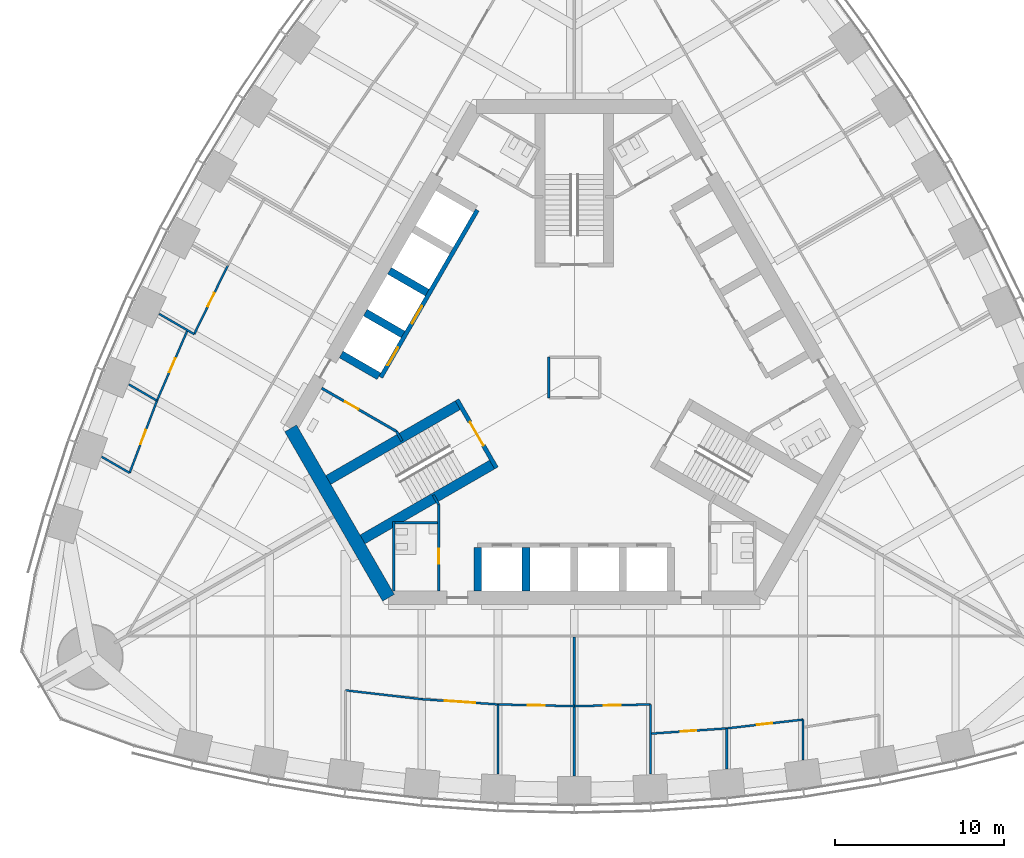
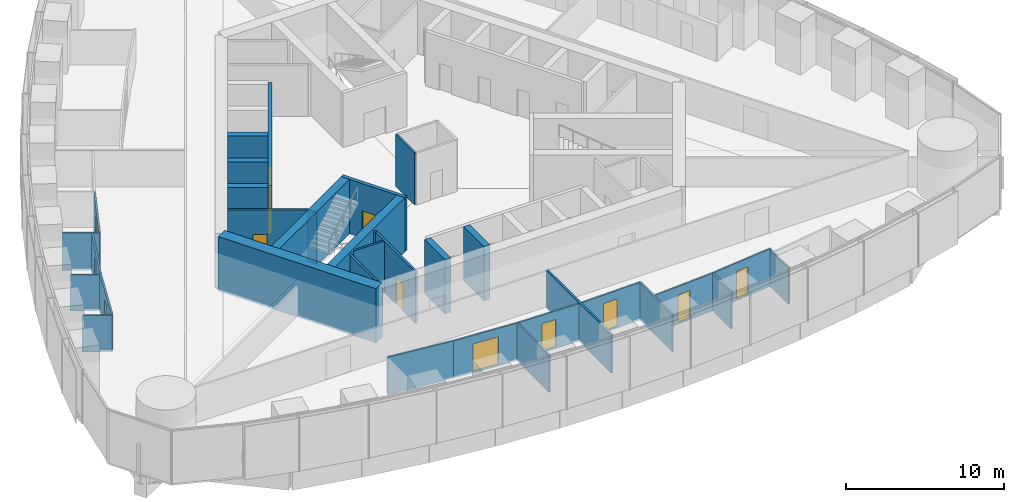
# One storey, part 11 of 19: 34 walls, 13 doors, 13 openings.
"""IFC4 building model written with IfcOpenShell, lengths in metres."""

import ifcopenshell
import ifcopenshell.guid

model = None  # the IFC model being written
_history = None  # IfcOwnerHistory: only IFC2X3 demands one
_inside = {}  # id of a spatial element -> (the spatial element, [elements in it])
_under = {}  # id of a project, library or spatial element -> (it, [spatial elements below it])
_declared = {}  # id of a project -> (the project, [libraries it declares])
_typed = {}  # id of a type object -> (the type object, [elements of that type])
_made_of = {}  # id of a material, layer set ... -> (it, [elements and type objects made of it])


def new_model(schema):
    """Start an empty IFC model of exactly this schema.

    Asked for "IFC4X3", IfcOpenShell would pick the latest addendum, in which some entities
    have other attributes; the version numbers below select the first issue.
    IFC2X3 requires an IfcOwnerHistory on every rooted entity: one is made here for all.
    """
    global model, _history
    if schema == "IFC4X3":
        model = ifcopenshell.file(schema_version=(4, 3, 0, 0))
    else:
        model = ifcopenshell.file(schema=schema)
    _inside.clear()
    _under.clear()
    _declared.clear()
    _typed.clear()
    _made_of.clear()
    _history = None
    if model.schema == "IFC2X3":
        org = make("IfcOrganization", Name="unknown")
        user = make(
            "IfcPersonAndOrganization",
            ThePerson=make("IfcPerson", FamilyName="unknown"),
            TheOrganization=org,
        )
        app = make(
            "IfcApplication",
            ApplicationDeveloper=org,
            Version="unknown",
            ApplicationFullName="unknown",
            ApplicationIdentifier="unknown",
        )
        _history = make(
            "IfcOwnerHistory",
            OwningUser=user,
            OwningApplication=app,
            ChangeAction="ADDED",
            CreationDate=0,
        )
    return model


def make(cls, **values):
    """One entity of the class cls with the attributes given. An attribute that is None is left unset."""
    return model.create_entity(
        cls, **{name: value for name, value in values.items() if value is not None}
    )


def rooted(cls, **values):
    """An entity with a GlobalId (a new one), such as an element, a storey or a relation."""
    return make(cls, GlobalId=ifcopenshell.guid.new(), OwnerHistory=_history, **values)


def si_unit(unit_type, name, prefix=None):
    """IfcSIUnit, for example si_unit("LENGTHUNIT", "METRE", prefix="MILLI")."""
    return make("IfcSIUnit", UnitType=unit_type, Prefix=prefix, Name=name)


def assignment(units):
    """IfcUnitAssignment: the units of a project."""
    return None if units is None else make("IfcUnitAssignment", Units=units)


def point(xyz):
    """IfcCartesianPoint."""
    return None if xyz is None else make("IfcCartesianPoint", Coordinates=xyz)


def direction(xyz):
    """IfcDirection."""
    return None if xyz is None else make("IfcDirection", DirectionRatios=xyz)


def frame(location, z_axis=None, x_axis=None):
    """IfcAxis2Placement3D, a coordinate frame: its origin and axes. An axis left out is left unset."""
    return make(
        "IfcAxis2Placement3D",
        Location=point(location),
        Axis=direction(z_axis),
        RefDirection=direction(x_axis),
    )


def frame_2d(location, x_axis=None):
    """IfcAxis2Placement2D, a coordinate frame in the plane: its origin and x axis."""
    return make(
        "IfcAxis2Placement2D", Location=point(location), RefDirection=direction(x_axis)
    )


def origin():
    """The frame at (0, 0, 0) with its axes left unset."""
    return frame((0.0, 0.0, 0.0))


def place(relative_to, where):
    """IfcLocalPlacement: puts the frame where relative to a parent placement (None: the world)."""
    return make(
        "IfcLocalPlacement", PlacementRelTo=relative_to, RelativePlacement=where
    )


def context(
    kind, dimensions, precision=None, world=None, true_north=None, identifier=None
):
    """IfcGeometricRepresentationContext, for example the 3D "Model" context."""
    return make(
        "IfcGeometricRepresentationContext",
        ContextIdentifier=identifier,
        ContextType=kind,
        CoordinateSpaceDimension=dimensions,
        Precision=precision,
        WorldCoordinateSystem=world,
        TrueNorth=true_north,
    )


def subcontext(parent, identifier, kind, view, scale=None):
    """IfcGeometricRepresentationSubContext, for example "Body" below "Model"."""
    return make(
        "IfcGeometricRepresentationSubContext",
        ContextIdentifier=identifier,
        ContextType=kind,
        ParentContext=parent,
        TargetScale=scale,
        TargetView=view,
    )


def project(units=None, contexts=None):
    """IfcProject with its units and contexts."""
    return rooted(
        "IfcProject",
        Name="project",
        RepresentationContexts=contexts,
        UnitsInContext=assignment(units),
    )


def spatial(cls, under=None, at=None, **own):
    """A site, building, storey or space (cls), placed at a placement, below another one or the project."""
    s = rooted(cls, ObjectPlacement=at, **own)
    if under is not None:
        _under.setdefault(under.id(), (under, []))[1].append(s)
    return s


def profile(cls, at=None, kind="AREA", **sizes):
    """A parametric profile (cls). Its sizes go by their IFC names, for example OverallWidth=200.0."""
    return make(cls, ProfileType=kind, Position=at, **sizes)


def rectangle(**sizes):
    """IfcRectangleProfileDef."""
    return profile("IfcRectangleProfileDef", **sizes)


def extrude(swept, where, along, depth):
    """IfcExtrudedAreaSolid: the profile swept, set in the frame where, extruded along a direction by depth."""
    return make(
        "IfcExtrudedAreaSolid",
        SweptArea=swept,
        Position=where,
        ExtrudedDirection=direction(along),
        Depth=depth,
    )


def shape(context_of_items, identifier, shape_type, items):
    """IfcShapeRepresentation: the items that make up one representation, for example the "Body"."""
    return make(
        "IfcShapeRepresentation",
        ContextOfItems=context_of_items,
        RepresentationIdentifier=identifier,
        RepresentationType=shape_type,
        Items=items,
    )


def material(Name=None, Category=None):
    """IfcMaterial."""
    return make("IfcMaterial", Name=Name, Category=Category)


def layer(
    of_material, thickness, ventilated=None, Name=None, Category=None, Priority=None
):
    """IfcMaterialLayer: one layer of a wall or slab, of a material (None: an air gap)."""
    return make(
        "IfcMaterialLayer",
        Material=of_material,
        LayerThickness=thickness,
        IsVentilated=ventilated,
        Name=Name,
        Category=Category,
        Priority=Priority,
    )


def layer_set(layers, Name=None):
    """IfcMaterialLayerSet."""
    return make("IfcMaterialLayerSet", MaterialLayers=layers, LayerSetName=Name)


def made_of(thing, what):
    """Note that an element or type object is made of a material, layer set ...; save() writes the relation."""
    if what is not None:
        _made_of.setdefault(what.id(), (what, []))[1].append(thing)
    return thing


def type_object(cls, material=None, **own):
    """A type object (cls), such as IfcWallType, which elements share."""
    return made_of(rooted(cls, **own), material)


def element(
    cls,
    number,
    at=None,
    inside=None,
    cuts=None,
    type_object=None,
    material=None,
    context=None,
    identifier="Body",
    shape_type=None,
    held_by="IfcProductDefinitionShape",
    body=None,
    shapes=None,
    **own,
):
    """One element of the class cls, such as IfcWall. Its Tag is "e" and its number.

    at: its placement. inside: the storey or other place that contains it. cuts: it is an
    opening in that element (IfcRelVoidsElement). A single representation is given by context,
    identifier, shape_type and body (its items); several are given by shapes. held_by: the class
    of the entity that holds the representations. save() writes the other relations.
    """
    e = rooted(cls, Tag="e%d" % number, ObjectPlacement=at, **own)
    if body is not None:
        shapes = [shape(context, identifier, shape_type, body)]
    if shapes is not None:
        e.Representation = make(held_by, Representations=shapes)
    if inside is not None:
        _inside.setdefault(inside.id(), (inside, []))[1].append(e)
    if cuts is not None:
        rooted(
            "IfcRelVoidsElement", RelatingBuildingElement=cuts, RelatedOpeningElement=e
        )
    if type_object is not None:
        _typed.setdefault(type_object.id(), (type_object, []))[1].append(e)
    return made_of(e, material)


def fill(opening, filler):
    """IfcRelFillsElement: the door or window that sits in an opening."""
    return rooted(
        "IfcRelFillsElement",
        RelatingOpeningElement=opening,
        RelatedBuildingElement=filler,
    )


def aggregate(whole, parts):
    """IfcRelAggregates: a whole, such as a stair, and the parts it consists of."""
    return rooted("IfcRelAggregates", RelatingObject=whole, RelatedObjects=parts)


def save(model, path):
    """Write the relations noted so far, then the file.

    IfcRelAggregates (storeys below a building ...), IfcRelContainedInSpatialStructure (elements
    in a storey), IfcRelDefinesByType, IfcRelAssociatesMaterial and IfcRelDeclares: one each for
    every whole, place, type object, material and project.
    """
    for whole, parts in _under.values():
        aggregate(whole, parts)
    for where, things in _inside.values():
        rooted(
            "IfcRelContainedInSpatialStructure",
            RelatedElements=things,
            RelatingStructure=where,
        )
    for kind, things in _typed.values():
        rooted("IfcRelDefinesByType", RelatedObjects=things, RelatingType=kind)
    for what, things in _made_of.values():
        rooted("IfcRelAssociatesMaterial", RelatedObjects=things, RelatingMaterial=what)
    for by, libraries in _declared.values():
        rooted("IfcRelDeclares", RelatingContext=by, RelatedDefinitions=libraries)
    model.write(path)


model = new_model("IFC4")

# Units and contexts
model_context = context("Model", 3, precision=1e-05, world=origin(), true_north=direction((0.0, 1.0)))
body_context = subcontext(model_context, "Body", "Model", "MODEL_VIEW")
ifc_project = project(units=[si_unit("LENGTHUNIT", "METRE"), si_unit("AREAUNIT", "SQUARE_METRE"), si_unit("VOLUMEUNIT", "CUBIC_METRE"), si_unit("PLANEANGLEUNIT", "RADIAN"), si_unit("MASSUNIT", "GRAM", prefix="KILO")], contexts=[model_context])

# Site, building, storey
site_placement = place(None, origin())
site = spatial("IfcSite", under=ifc_project, at=site_placement, CompositionType="ELEMENT")
building_placement = place(site_placement, origin())
building = spatial("IfcBuilding", under=site, at=building_placement, Name="Trefoil Bronze Tower", CompositionType="ELEMENT")
storey_placement = place(building_placement, frame((0.0, 0.0, 193.89990234375)))
storey = spatial("IfcBuildingStorey", under=building, at=storey_placement, Name="L44", CompositionType="ELEMENT", Elevation=193.89990234375)

# Wall
ifc_material_1 = material(Name="Concrete B80", Category="concrete")
ifc_layer_1 = layer(ifc_material_1, 0.800048828125)
ifc_layer_set_1 = layer_set([ifc_layer_1], Name="Core wall 800")
wall_type_1 = type_object("IfcWallType", Name="Core wall 800", PredefinedType="SHEAR", material=ifc_layer_set_1)
wall_1_placement = place(storey_placement, frame((-16.7431640625, -3.0, 0.0), z_axis=(0.0, 0.0, 1.0), x_axis=(0.499995765644, -0.866027848477, 0.0)))
element("IfcWall", 1, at=wall_1_placement, inside=storey, type_object=wall_type_1, Name="Core short wall 3 L44", PredefinedType="SHEAR", context=body_context, shape_type="SweptSolid", body=[
    extrude(rectangle(XDim=11.546875, YDim=0.800048828125, at=frame_2d((5.7734375, 0.0))), origin(), (0.0, 0.0, 1.0), 4.2001953125),
])

# Wall, opening, door
ifc_material_2 = material(Name="Glazed partition", Category="glass")
ifc_layer_2 = layer(ifc_material_2, 0.1201171875)
ifc_layer_set_2 = layer_set([ifc_layer_2], Name="Glazed partition 120")
wall_type_2 = type_object("IfcWallType", Name="Glazed partition 120", PredefinedType="PARTITIONING", material=ifc_layer_set_2)
wall_2_placement = place(storey_placement, frame((0.0, -19.400634765625, 0.0), z_axis=(0.0, 0.0, 1.0), x_axis=(0.99973552509, 0.022997388381, 0.0)))
wall_2 = element("IfcWall", 2, at=wall_2_placement, inside=storey, type_object=wall_type_2, Name="Partition F1 L44", PredefinedType="PARTITIONING", context=body_context, shape_type="SweptSolid", body=[
    extrude(rectangle(XDim=4.501220703125, YDim=0.1201171875, at=frame_2d((2.25048828125, 0.0))), origin(), (0.0, 0.0, 1.0), 2.900146484375),
])
opening_1_placement = place(wall_2_placement, frame((1.75, 0.0, 0.14990234375)))
opening_1 = element("IfcOpeningElement", 3, at=opening_1_placement, cuts=wall_2, Name="Opening D9", PredefinedType="OPENING", context=body_context, shape_type="SweptSolid", body=[
    extrude(rectangle(XDim=1.0, YDim=2.10009765625, at=frame_2d((0.5, 1.050048828125))), frame((0.0, 0.070068359375, 0.0), z_axis=(0.0, -1.0, 0.0), x_axis=(1.0, 0.0, 0.0)), (0.0, 0.0, 1.0), 0.14013671875),
])
ifc_material_3 = material(Name="Glazed timber door", Category="wood")
door_type_1 = type_object("IfcDoorType", Name="Meeting room door 1000", OperationType="SINGLE_SWING_LEFT", PredefinedType="DOOR", material=ifc_material_3)
door_1_placement = place(opening_1_placement, frame((1.0, 0.0, 0.0), z_axis=(0.0, 0.0, 1.0), x_axis=(-1.0, 0.0, 0.0)))
door_1 = element("IfcDoor", 4, at=door_1_placement, inside=storey, type_object=door_type_1, Name="Meeting room door F1 L44", OperationType="SINGLE_SWING_RIGHT", OverallHeight=2.10009765625, OverallWidth=1.0, PredefinedType="DOOR", context=body_context, shape_type="SweptSolid", body=[
    extrude(rectangle(XDim=1.0, YDim=2.10009765625, at=frame_2d((0.5, 1.050048828125))), frame((0.0, 0.02490234375, 0.0), z_axis=(0.0, -1.0, 0.0), x_axis=(1.0, 0.0, 0.0)), (0.0, 0.0, 1.0), 0.050048828125),
])
fill(opening_1, door_1)

wall_3_placement = place(storey_placement, frame((4.5, -21.022216796875, 0.0), z_axis=(0.0, 0.0, 1.0), x_axis=(0.997623533978, 0.068900540297, 0.0)))
wall_3 = element("IfcWall", 5, at=wall_3_placement, inside=storey, type_object=wall_type_2, Name="Partition F1 L44", PredefinedType="PARTITIONING", context=body_context, shape_type="SweptSolid", body=[
    extrude(rectangle(XDim=4.5107421875, YDim=0.1201171875, at=frame_2d((2.25537109375, 0.0))), origin(), (0.0, 0.0, 1.0), 2.900146484375),
])
opening_2_placement = place(wall_3_placement, frame((1.800048828125, 0.0, 0.14990234375)))
opening_2 = element("IfcOpeningElement", 6, at=opening_2_placement, cuts=wall_3, Name="Opening D8", PredefinedType="OPENING", context=body_context, shape_type="SweptSolid", body=[
    extrude(rectangle(XDim=0.89990234375, YDim=2.10009765625, at=frame_2d((0.449951171875, 1.050048828125))), frame((0.0, 0.070068359375, 0.0), z_axis=(0.0, -1.0, 0.0), x_axis=(1.0, 0.0, 0.0)), (0.0, 0.0, 1.0), 0.14013671875),
])
ifc_material_4 = material(Name="Timber door", Category="wood")
door_type_2 = type_object("IfcDoorType", Name="Office door 900", OperationType="SINGLE_SWING_LEFT", PredefinedType="DOOR", material=ifc_material_4)
door_2_placement = place(opening_2_placement, frame((0.89990234375, 0.0, 0.0), z_axis=(0.0, 0.0, 1.0), x_axis=(-1.0, 0.0, 0.0)))
door_2 = element("IfcDoor", 7, at=door_2_placement, inside=storey, type_object=door_type_2, Name="Focus room door F1 L44", OperationType="SINGLE_SWING_RIGHT", OverallHeight=2.10009765625, OverallWidth=0.89990234375, PredefinedType="DOOR", context=body_context, shape_type="SweptSolid", body=[
    extrude(rectangle(XDim=0.89990234375, YDim=2.10009765625, at=frame_2d((0.449951171875, 1.050048828125))), frame((0.0, 0.02490234375, 0.0), z_axis=(0.0, -1.0, 0.0), x_axis=(1.0, 0.0, 0.0)), (0.0, 0.0, 1.0), 0.050048828125),
])
fill(opening_2, door_2)

wall_4_placement = place(storey_placement, frame((9.0, -20.71142578125, 0.0), z_axis=(0.0, 0.0, 1.0), x_axis=(0.993382946625, 0.114849124309, 0.0)))
wall_4 = element("IfcWall", 8, at=wall_4_placement, inside=storey, type_object=wall_type_2, Name="Partition F1 L44", PredefinedType="PARTITIONING", context=body_context, shape_type="SweptSolid", body=[
    extrude(rectangle(XDim=4.530029296875, YDim=0.1201171875, at=frame_2d((2.26513671875, 0.0))), origin(), (0.0, 0.0, 1.0), 2.900146484375),
])
opening_3_placement = place(wall_4_placement, frame((1.800048828125, 0.0, 0.14990234375)))
opening_3 = element("IfcOpeningElement", 9, at=opening_3_placement, cuts=wall_4, Name="Opening D8", PredefinedType="OPENING", context=body_context, shape_type="SweptSolid", body=[
    extrude(rectangle(XDim=0.89990234375, YDim=2.10009765625, at=frame_2d((0.449951171875, 1.050048828125))), frame((0.0, 0.070068359375, 0.0), z_axis=(0.0, -1.0, 0.0), x_axis=(1.0, 0.0, 0.0)), (0.0, 0.0, 1.0), 0.14013671875),
])
door_3_placement = place(opening_3_placement, frame((0.89990234375, 0.0, 0.0), z_axis=(0.0, 0.0, 1.0), x_axis=(-1.0, 0.0, 0.0)))
door_3 = element("IfcDoor", 10, at=door_3_placement, inside=storey, type_object=door_type_2, Name="Focus room door F1 L44", OperationType="SINGLE_SWING_RIGHT", OverallHeight=2.10009765625, OverallWidth=0.89990234375, PredefinedType="DOOR", context=body_context, shape_type="SweptSolid", body=[
    extrude(rectangle(XDim=0.89990234375, YDim=2.10009765625, at=frame_2d((0.449951171875, 1.050048828125))), frame((0.0, 0.02490234375, 0.0), z_axis=(0.0, -1.0, 0.0), x_axis=(1.0, 0.0, 0.0)), (0.0, 0.0, 1.0), 0.050048828125),
])
fill(opening_3, door_3)

# Wall
wall_5_placement = place(storey_placement, frame((-13.5, -18.466064453125, 0.0), z_axis=(0.0, 0.0, 1.0), x_axis=(0.993382946625, -0.114849124309, 0.0)))
element("IfcWall", 11, at=wall_5_placement, inside=storey, type_object=wall_type_2, Name="Partition F1 L44", PredefinedType="PARTITIONING", context=body_context, shape_type="SweptSolid", body=[
    extrude(rectangle(XDim=4.530029296875, YDim=0.1201171875, at=frame_2d((2.26513671875, 0.0))), origin(), (0.0, 0.0, 1.0), 2.900146484375),
])

# Wall, opening, door
wall_6_placement = place(storey_placement, frame((-4.5, -19.297119140625, 0.0), z_axis=(0.0, 0.0, 1.0), x_axis=(0.99973552509, -0.022997388381, 0.0)))
wall_6 = element("IfcWall", 12, at=wall_6_placement, inside=storey, type_object=wall_type_2, Name="Partition F1 L44", PredefinedType="PARTITIONING", context=body_context, shape_type="SweptSolid", body=[
    extrude(rectangle(XDim=4.501220703125, YDim=0.1201171875, at=frame_2d((2.25048828125, 0.0))), origin(), (0.0, 0.0, 1.0), 2.900146484375),
])
opening_4_placement = place(wall_6_placement, frame((1.75, 0.0, 0.14990234375)))
opening_4 = element("IfcOpeningElement", 13, at=opening_4_placement, cuts=wall_6, Name="Opening D9", PredefinedType="OPENING", context=body_context, shape_type="SweptSolid", body=[
    extrude(rectangle(XDim=1.0, YDim=2.10009765625, at=frame_2d((0.5, 1.050048828125))), frame((0.0, 0.070068359375, 0.0), z_axis=(0.0, -1.0, 0.0), x_axis=(1.0, 0.0, 0.0)), (0.0, 0.0, 1.0), 0.14013671875),
])
door_4_placement = place(opening_4_placement, frame((1.0, 0.0, 0.0), z_axis=(0.0, 0.0, 1.0), x_axis=(-1.0, 0.0, 0.0)))
door_4 = element("IfcDoor", 14, at=door_4_placement, inside=storey, type_object=door_type_1, Name="Meeting room door F1 L44", OperationType="SINGLE_SWING_RIGHT", OverallHeight=2.10009765625, OverallWidth=1.0, PredefinedType="DOOR", context=body_context, shape_type="SweptSolid", body=[
    extrude(rectangle(XDim=1.0, YDim=2.10009765625, at=frame_2d((0.5, 1.050048828125))), frame((0.0, 0.02490234375, 0.0), z_axis=(0.0, -1.0, 0.0), x_axis=(1.0, 0.0, 0.0)), (0.0, 0.0, 1.0), 0.050048828125),
])
fill(opening_4, door_4)

wall_7_placement = place(storey_placement, frame((-9.0, -18.986328125, 0.0), z_axis=(0.0, 0.0, 1.0), x_axis=(0.997623533978, -0.068900540297, 0.0)))
wall_7 = element("IfcWall", 15, at=wall_7_placement, inside=storey, type_object=wall_type_2, Name="Partition F1 L44", PredefinedType="PARTITIONING", context=body_context, shape_type="SweptSolid", body=[
    extrude(rectangle(XDim=4.5107421875, YDim=0.1201171875, at=frame_2d((2.25537109375, 0.0))), origin(), (0.0, 0.0, 1.0), 2.900146484375),
])
opening_5_placement = place(wall_7_placement, frame((1.35009765625, 0.0, 0.14990234375)))
opening_5 = element("IfcOpeningElement", 16, at=opening_5_placement, cuts=wall_7, Name="Opening D10", PredefinedType="OPENING", context=body_context, shape_type="SweptSolid", body=[
    extrude(rectangle(XDim=1.800048828125, YDim=2.10009765625, at=frame_2d((0.89990234375, 1.050048828125))), frame((0.0, 0.070068359375, 0.0), z_axis=(0.0, -1.0, 0.0), x_axis=(1.0, 0.0, 0.0)), (0.0, 0.0, 1.0), 0.14013671875),
])
ifc_material_5 = material(Name="Timber door", Category="wood")
door_type_3 = type_object("IfcDoorType", Name="Double door 1800", OperationType="DOUBLE_DOOR_SINGLE_SWING", PredefinedType="DOOR", material=ifc_material_5)
door_5_placement = place(opening_5_placement, frame((1.800048828125, 0.0, 0.0), z_axis=(0.0, 0.0, 1.0), x_axis=(-1.0, 0.0, 0.0)))
door_5 = element("IfcDoor", 17, at=door_5_placement, inside=storey, type_object=door_type_3, Name="Kitchen and breakout door F1 L44", OperationType="DOUBLE_DOOR_SINGLE_SWING", OverallHeight=2.10009765625, OverallWidth=1.800048828125, PredefinedType="DOOR", context=body_context, shape_type="SweptSolid", body=[
    extrude(rectangle(XDim=1.800048828125, YDim=2.10009765625, at=frame_2d((0.89990234375, 1.050048828125))), frame((0.0, 0.02490234375, 0.0), z_axis=(0.0, -1.0, 0.0), x_axis=(1.0, 0.0, 0.0)), (0.0, 0.0, 1.0), 0.050048828125),
])
fill(opening_5, door_5)

# Walls
wall_8_placement = place(storey_placement, frame((13.5, -20.191162109375, 0.0), z_axis=(0.0, 0.0, 1.0), x_axis=(0.0, -1.0, 0.0)))
element("IfcWall", 18, at=wall_8_placement, inside=storey, type_object=wall_type_2, Name="Partition F1 L44", PredefinedType="PARTITIONING", context=body_context, shape_type="SweptSolid", body=[
    extrude(rectangle(XDim=2.37939453125, YDim=0.1201171875, at=frame_2d((1.189697265625, 0.0))), origin(), (0.0, 0.0, 1.0), 2.800048828125),
])
wall_9_placement = place(storey_placement, frame((4.5, -19.297119140625, 0.0), z_axis=(0.0, 0.0, 1.0), x_axis=(0.0, -1.0, 0.0)))
element("IfcWall", 19, at=wall_9_placement, inside=storey, type_object=wall_type_2, Name="Partition F1 L44", PredefinedType="PARTITIONING", context=body_context, shape_type="SweptSolid", body=[
    extrude(rectangle(XDim=4.118408203125, YDim=0.1201171875, at=frame_2d((2.05908203125, 0.0))), origin(), (0.0, 0.0, 1.0), 2.900146484375),
])
wall_10_placement = place(storey_placement, frame((9.0, -20.71142578125, 0.0), z_axis=(0.0, 0.0, 1.0), x_axis=(0.0, -1.0, 0.0)))
element("IfcWall", 20, at=wall_10_placement, inside=storey, type_object=wall_type_2, Name="Partition F1 L44", PredefinedType="PARTITIONING", context=body_context, shape_type="SweptSolid", body=[
    extrude(rectangle(XDim=2.38818359375, YDim=0.1201171875, at=frame_2d((1.194091796875, 0.0))), origin(), (0.0, 0.0, 1.0), 2.900146484375),
])
wall_11_placement = place(storey_placement, frame((-4.5, -19.297119140625, 0.0), z_axis=(0.0, 0.0, 1.0), x_axis=(0.0, -1.0, 0.0)))
element("IfcWall", 21, at=wall_11_placement, inside=storey, type_object=wall_type_2, Name="Partition F1 L44", PredefinedType="PARTITIONING", context=body_context, shape_type="SweptSolid", body=[
    extrude(rectangle(XDim=4.118408203125, YDim=0.1201171875, at=frame_2d((2.05908203125, 0.0))), origin(), (0.0, 0.0, 1.0), 2.900146484375),
])

# Wall, opening, door
wall_12_placement = place(storey_placement, frame((-24.63427734375, -1.36572265625, 0.0), z_axis=(0.0, 0.0, 1.0), x_axis=(-0.3542667952, -0.935144394101, 0.0)))
wall_12 = element("IfcWall", 22, at=wall_12_placement, inside=storey, type_object=wall_type_2, Name="Partition F3 L44", PredefinedType="PARTITIONING", context=body_context, shape_type="SweptSolid", body=[
    extrude(rectangle(XDim=4.559326171875, YDim=0.1201171875, at=frame_2d((2.27978515625, 0.0))), origin(), (0.0, 0.0, 1.0), 2.900146484375),
])
opening_6_placement = place(wall_12_placement, frame((1.85009765625, 0.0, 0.14990234375)))
opening_6 = element("IfcOpeningElement", 23, at=opening_6_placement, cuts=wall_12, Name="Opening D8", PredefinedType="OPENING", context=body_context, shape_type="SweptSolid", body=[
    extrude(rectangle(XDim=0.89990234375, YDim=2.10009765625, at=frame_2d((0.449951171875, 1.050048828125))), frame((0.0, 0.070068359375, 0.0), z_axis=(0.0, -1.0, 0.0), x_axis=(1.0, 0.0, 0.0)), (0.0, 0.0, 1.0), 0.14013671875),
])
door_6_placement = place(opening_6_placement, frame((0.89990234375, 0.0, 0.0), z_axis=(0.0, 0.0, 1.0), x_axis=(-1.0, 0.0, 0.0)))
door_6 = element("IfcDoor", 24, at=door_6_placement, inside=storey, type_object=door_type_2, Name="Comms room door F3 L44", OperationType="SINGLE_SWING_LEFT", OverallHeight=2.10009765625, OverallWidth=0.89990234375, PredefinedType="DOOR", context=body_context, shape_type="SweptSolid", body=[
    extrude(rectangle(XDim=0.89990234375, YDim=2.10009765625, at=frame_2d((0.449951171875, 1.050048828125))), frame((0.0, 0.02490234375, 0.0), z_axis=(0.0, -1.0, 0.0), x_axis=(1.0, 0.0, 0.0)), (0.0, 0.0, 1.0), 0.050048828125),
])
fill(opening_6, door_6)

wall_13_placement = place(storey_placement, frame((-20.455810546875, 6.614013671875, 0.0), z_axis=(0.0, 0.0, 1.0), x_axis=(-0.43911984878, -0.898428493764, 0.0)))
wall_13 = element("IfcWall", 25, at=wall_13_placement, inside=storey, type_object=wall_type_2, Name="Partition F3 L44", PredefinedType="PARTITIONING", context=body_context, shape_type="SweptSolid", body=[
    extrude(rectangle(XDim=4.5107421875, YDim=0.1201171875, at=frame_2d((2.25537109375, 0.0))), origin(), (0.0, 0.0, 1.0), 2.900146484375),
])
opening_7_placement = place(wall_13_placement, frame((1.800048828125, 0.0, 0.14990234375)))
opening_7 = element("IfcOpeningElement", 26, at=opening_7_placement, cuts=wall_13, Name="Opening D8", PredefinedType="OPENING", context=body_context, shape_type="SweptSolid", body=[
    extrude(rectangle(XDim=0.89990234375, YDim=2.10009765625, at=frame_2d((0.449951171875, 1.050048828125))), frame((0.0, 0.070068359375, 0.0), z_axis=(0.0, -1.0, 0.0), x_axis=(1.0, 0.0, 0.0)), (0.0, 0.0, 1.0), 0.14013671875),
])
door_7_placement = place(opening_7_placement, frame((0.89990234375, 0.0, 0.0), z_axis=(0.0, 0.0, 1.0), x_axis=(-1.0, 0.0, 0.0)))
door_7 = element("IfcDoor", 27, at=door_7_placement, inside=storey, type_object=door_type_2, Name="Focus room door F3 L44", OperationType="SINGLE_SWING_RIGHT", OverallHeight=2.10009765625, OverallWidth=0.89990234375, PredefinedType="DOOR", context=body_context, shape_type="SweptSolid", body=[
    extrude(rectangle(XDim=0.89990234375, YDim=2.10009765625, at=frame_2d((0.449951171875, 1.050048828125))), frame((0.0, 0.02490234375, 0.0), z_axis=(0.0, -1.0, 0.0), x_axis=(1.0, 0.0, 0.0)), (0.0, 0.0, 1.0), 0.050048828125),
])
fill(opening_7, door_7)

wall_14_placement = place(storey_placement, frame((-22.8349609375, 2.79150390625, 0.0), z_axis=(0.0, 0.0, 1.0), x_axis=(-0.397208101111, -0.917728567939, 0.0)))
wall_14 = element("IfcWall", 28, at=wall_14_placement, inside=storey, type_object=wall_type_2, Name="Partition F3 L44", PredefinedType="PARTITIONING", context=body_context, shape_type="SweptSolid", body=[
    extrude(rectangle(XDim=4.530029296875, YDim=0.1201171875, at=frame_2d((2.26513671875, 0.0))), origin(), (0.0, 0.0, 1.0), 2.900146484375),
])
opening_8_placement = place(wall_14_placement, frame((1.800048828125, 0.0, 0.14990234375)))
opening_8 = element("IfcOpeningElement", 29, at=opening_8_placement, cuts=wall_14, Name="Opening D8", PredefinedType="OPENING", context=body_context, shape_type="SweptSolid", body=[
    extrude(rectangle(XDim=0.89990234375, YDim=2.10009765625, at=frame_2d((0.449951171875, 1.050048828125))), frame((0.0, 0.070068359375, 0.0), z_axis=(0.0, -1.0, 0.0), x_axis=(1.0, 0.0, 0.0)), (0.0, 0.0, 1.0), 0.14013671875),
])
door_8_placement = place(opening_8_placement, frame((0.89990234375, 0.0, 0.0), z_axis=(0.0, 0.0, 1.0), x_axis=(-1.0, 0.0, 0.0)))
door_8 = element("IfcDoor", 30, at=door_8_placement, inside=storey, type_object=door_type_2, Name="Print and store room door F3 L44", OperationType="SINGLE_SWING_RIGHT", OverallHeight=2.10009765625, OverallWidth=0.89990234375, PredefinedType="DOOR", context=body_context, shape_type="SweptSolid", body=[
    extrude(rectangle(XDim=0.89990234375, YDim=2.10009765625, at=frame_2d((0.449951171875, 1.050048828125))), frame((0.0, 0.02490234375, 0.0), z_axis=(0.0, -1.0, 0.0), x_axis=(1.0, 0.0, 0.0)), (0.0, 0.0, 1.0), 0.050048828125),
])
fill(opening_8, door_8)

# Walls
wall_15_placement = place(storey_placement, frame((-24.63427734375, -1.36572265625, 0.0), z_axis=(0.0, 0.0, 1.0), x_axis=(-0.86603520599, 0.499983021698, 0.0)))
element("IfcWall", 31, at=wall_15_placement, inside=storey, type_object=wall_type_2, Name="Partition F3 L44", PredefinedType="PARTITIONING", context=body_context, shape_type="SweptSolid", body=[
    extrude(rectangle(XDim=1.91943359375, YDim=0.1201171875, at=frame_2d((0.959716796875, 0.0))), origin(), (0.0, 0.0, 1.0), 2.800048828125),
])
wall_16_placement = place(storey_placement, frame((-26.24951171875, -5.62939453125, 0.0), z_axis=(0.0, 0.0, 1.0), x_axis=(-0.866036337748, 0.499981061341, 0.0)))
element("IfcWall", 32, at=wall_16_placement, inside=storey, type_object=wall_type_2, Name="Partition F3 L44", PredefinedType="PARTITIONING", context=body_context, shape_type="SweptSolid", body=[
    extrude(rectangle(XDim=1.90673828125, YDim=0.1201171875, at=frame_2d((0.953369140625, 0.0))), origin(), (0.0, 0.0, 1.0), 2.800048828125),
])
wall_17_placement = place(storey_placement, frame((-22.4365234375, 2.5615234375, 0.0), z_axis=(0.0, 0.0, 1.0), x_axis=(-0.866013634004, 0.500020385304, 0.0)))
element("IfcWall", 33, at=wall_17_placement, inside=storey, type_object=wall_type_2, Name="Partition F3 L44", PredefinedType="PARTITIONING", context=body_context, shape_type="SweptSolid", body=[
    extrude(rectangle(XDim=2.38818359375, YDim=0.1201171875, at=frame_2d((1.194091796875, 0.0))), origin(), (0.0, 0.0, 1.0), 2.900146484375),
])
ifc_material_6 = material(Name="Concrete B80", Category="concrete")
ifc_layer_3 = layer(ifc_material_6, 0.449951171875)
ifc_layer_set_3 = layer_set([ifc_layer_3], Name="Outrigger shaft wall 450")
wall_type_3 = type_object("IfcWallType", Name="Outrigger shaft wall 450", PredefinedType="SHEAR", material=ifc_layer_set_3)
for number, where, z_axis, x_axis, name in (
    (34, (-5.699951171875, -10.02490234375, 0.0), (0.0, 0.0, 1.0), (0.0, -1.0, 0.0), "Lift shaft side wall A0 L44"),
    (35, (-2.85009765625, -10.02490234375, 0.0), (0.0, 0.0, 1.0), (0.0, -1.0, 0.0), "Lift shaft side wall A1 L44"),
):
    element("IfcWall", number, at=place(storey_placement, frame(where, z_axis=z_axis, x_axis=x_axis)), inside=storey, type_object=wall_type_3, Name=name, PredefinedType="SHEAR", context=body_context, shape_type="SweptSolid", body=[
        extrude(rectangle(XDim=2.5751953125, YDim=0.449951171875, at=frame_2d((1.28759765625, 0.0))), origin(), (0.0, 0.0, 1.0), 4.2001953125),
    ])
for number, where, z_axis, x_axis, name in (
    (36, (-8.681884765625, 5.012451171875, 0.0), (0.0, 0.0, 1.0), (-0.866005588531, 0.500034319456, 0.0), "Lift shaft side wall C2 L44"),
    (37, (-10.10693359375, 2.54443359375, 0.0), (0.0, 0.0, 1.0), (-0.866046643894, 0.499963209246, 0.0), "Lift shaft side wall C3 L44"),
    (38, (-11.531982421875, 0.076171875, 0.0), (0.0, 0.0, 1.0), (-0.866005588531, 0.500034319456, 0.0), "Lift shaft side wall C4 L44"),
):
    element("IfcWall", number, at=place(storey_placement, frame(where, z_axis=z_axis, x_axis=x_axis)), inside=storey, type_object=wall_type_3, Name=name, PredefinedType="SHEAR", context=body_context, shape_type="SweptSolid", body=[
        extrude(rectangle(XDim=2.574951171875, YDim=0.449951171875, at=frame_2d((1.28759765625, 0.0))), origin(), (0.0, 0.0, 1.0), 4.2001953125),
    ])

# Wall, opening, door
ifc_material_7 = material(Name="Gypsum board on steel studs", Category="steel")
ifc_layer_4 = layer(ifc_material_7, 0.14990234375)
ifc_layer_set_4 = layer_set([ifc_layer_4], Name="Partition 150")
wall_type_4 = type_object("IfcWallType", Name="Partition 150", PredefinedType="PARTITIONING", material=ifc_layer_set_4)
wall_18_placement = place(storey_placement, frame((-8.0, -7.5, 0.0), z_axis=(0.0, 0.0, 1.0), x_axis=(0.0, -1.0, 0.0)))
wall_18 = element("IfcWall", 39, at=wall_18_placement, inside=storey, type_object=wall_type_4, Name="Passage wall F1- L44", PredefinedType="PARTITIONING", context=body_context, shape_type="SweptSolid", body=[
    extrude(rectangle(XDim=5.10009765625, YDim=0.14990234375, at=frame_2d((2.550048828125, 0.0))), origin(), (0.0, 0.0, 1.0), 4.0),
])
opening_9_placement = place(wall_18_placement, frame((2.60009765625, 0.0, 0.0)))
opening_9 = element("IfcOpeningElement", 40, at=opening_9_placement, cuts=wall_18, Name="Opening D3", PredefinedType="OPENING", context=body_context, shape_type="SweptSolid", body=[
    extrude(rectangle(XDim=0.89990234375, YDim=2.10009765625, at=frame_2d((0.449951171875, 1.050048828125))), frame((0.0, 0.0849609375, 0.0), z_axis=(0.0, -1.0, 0.0), x_axis=(1.0, 0.0, 0.0)), (0.0, 0.0, 1.0), 0.169921875),
])
ifc_material_8 = material(Name="Timber door", Category="wood")
door_type_4 = type_object("IfcDoorType", Name="WC door 900", OperationType="SINGLE_SWING_LEFT", PredefinedType="DOOR", material=ifc_material_8)
door_9_placement = place(opening_9_placement, frame((0.89990234375, 0.0, 0.0), z_axis=(0.0, 0.0, 1.0), x_axis=(-1.0, 0.0, 0.0)))
door_9 = element("IfcDoor", 41, at=door_9_placement, inside=storey, type_object=door_type_4, Name="WC (women) door L44", OperationType="SINGLE_SWING_RIGHT", OverallHeight=2.10009765625, OverallWidth=0.89990234375, PredefinedType="DOOR", context=body_context, shape_type="SweptSolid", body=[
    extrude(rectangle(XDim=0.89990234375, YDim=2.10009765625, at=frame_2d((0.449951171875, 1.050048828125))), frame((0.0, 0.02490234375, 0.0), z_axis=(0.0, -1.0, 0.0), x_axis=(1.0, 0.0, 0.0)), (0.0, 0.0, 1.0), 0.050048828125),
])
fill(opening_9, door_9)

wall_19_placement = place(storey_placement, frame((-10.4951171875, -3.17822265625, 0.0), z_axis=(0.0, 0.0, 1.0), x_axis=(-0.86602216432, 0.500005610874, 0.0)))
wall_19 = element("IfcWall", 42, at=wall_19_placement, inside=storey, type_object=wall_type_4, Name="Passage wall F3+ L44", PredefinedType="PARTITIONING", context=body_context, shape_type="SweptSolid", body=[
    extrude(rectangle(XDim=5.10009765625, YDim=0.14990234375, at=frame_2d((2.550048828125, 0.0))), origin(), (0.0, 0.0, 1.0), 4.0),
])
opening_10_placement = place(wall_19_placement, frame((2.60009765625, 0.0, 0.0)))
opening_10 = element("IfcOpeningElement", 43, at=opening_10_placement, cuts=wall_19, Name="Opening D3", PredefinedType="OPENING", context=body_context, shape_type="SweptSolid", body=[
    extrude(rectangle(XDim=0.89990234375, YDim=2.10009765625, at=frame_2d((0.449951171875, 1.050048828125))), frame((0.0, 0.0849609375, 0.0), z_axis=(0.0, -1.0, 0.0), x_axis=(1.0, 0.0, 0.0)), (0.0, 0.0, 1.0), 0.169921875),
])
door_10_placement = place(opening_10_placement, origin())
door_10 = element("IfcDoor", 44, at=door_10_placement, inside=storey, type_object=door_type_4, Name="Accessible WC door L44", OperationType="SINGLE_SWING_RIGHT", OverallHeight=2.10009765625, OverallWidth=0.89990234375, PredefinedType="DOOR", context=body_context, shape_type="SweptSolid", body=[
    extrude(rectangle(XDim=0.89990234375, YDim=2.10009765625, at=frame_2d((0.449951171875, 1.050048828125))), frame((0.0, 0.02490234375, 0.0), z_axis=(0.0, -1.0, 0.0), x_axis=(1.0, 0.0, 0.0)), (0.0, 0.0, 1.0), 0.050048828125),
])
fill(opening_10, door_10)

# Walls
for number, where, z_axis, x_axis, name in (
    (45, (-10.4951171875, -3.17822265625, 0.0), (0.0, 0.0, 1.0), (0.499842556608, -0.866116284689, 0.0), "WC wall ST3-1 L44"),
    (46, (-8.0, -7.5, 0.0), (0.0, 0.0, 1.0), (-0.499842556608, 0.866116284689, 0.0), "WC wall ST3+1 L44"),
):
    element("IfcWall", number, at=place(storey_placement, frame(where, z_axis=z_axis, x_axis=x_axis)), inside=storey, type_object=wall_type_4, Name=name, PredefinedType="PARTITIONING", context=body_context, shape_type="SweptSolid", body=[
        extrude(rectangle(XDim=0.645263671875, YDim=0.14990234375, at=frame_2d((0.32275390625, 0.0))), origin(), (0.0, 0.0, 1.0), 4.0),
    ])
wall_20_placement = place(storey_placement, frame((-10.659912109375, -8.5, 0.0), z_axis=(0.0, 0.0, 1.0), x_axis=(0.0, -1.0, 0.0)))
element("IfcWall", 47, at=wall_20_placement, inside=storey, type_object=wall_type_4, Name="WC partition WC (women) L44", PredefinedType="PARTITIONING", context=body_context, shape_type="SweptSolid", body=[
    extrude(rectangle(XDim=4.10009765625, YDim=0.14990234375, at=frame_2d((2.050048828125, 0.0))), origin(), (0.0, 0.0, 1.0), 4.0),
])
wall_21_placement = place(storey_placement, frame((-8.074951171875, -8.574951171875, 0.0), z_axis=(0.0, 0.0, 1.0), x_axis=(-1.0, 0.0, 0.0)))
element("IfcWall", 48, at=wall_21_placement, inside=storey, type_object=wall_type_4, Name="WC partition WC (women) L44", PredefinedType="PARTITIONING", context=body_context, shape_type="SweptSolid", body=[
    extrude(rectangle(XDim=2.510009765625, YDim=0.14990234375, at=frame_2d((1.2548828125, 0.0))), origin(), (0.0, 0.0, 1.0), 4.0),
])
ifc_material_9 = material(Name="Gypsum board on steel studs", Category="steel")
ifc_layer_5 = layer(ifc_material_9, 0.14990234375)
ifc_layer_set_5 = layer_set([ifc_layer_5], Name="Party wall 150")
wall_type_5 = type_object("IfcWallType", Name="Party wall 150", PredefinedType="PARTITIONING", material=ifc_layer_set_5)
wall_22_placement = place(storey_placement, frame((0.0, -15.320068359375, 0.0), z_axis=(0.0, 0.0, 1.0), x_axis=(0.0, -1.0, 0.0)))
element("IfcWall", 49, at=wall_22_placement, inside=storey, type_object=wall_type_5, Name="Demising wall F1 L44", PredefinedType="PARTITIONING", context=body_context, shape_type="SweptSolid", body=[
    extrude(rectangle(XDim=8.20068359375, YDim=0.14990234375, at=frame_2d((4.100341796875, 0.0))), origin(), (0.0, 0.0, 1.0), 2.9921875),
])
ifc_material_10 = material(Name="Gypsum board on steel studs", Category="steel")
ifc_layer_6 = layer(ifc_material_10, 0.14990234375)
ifc_layer_set_6 = layer_set([ifc_layer_6], Name="Riser wall 150")
wall_type_6 = type_object("IfcWallType", Name="Riser wall 150", PredefinedType="PARTITIONING", material=ifc_layer_set_6)
wall_23_placement = place(storey_placement, frame((-1.5, 1.199951171875, 0.0), z_axis=(0.0, 0.0, 1.0), x_axis=(0.0, -1.0, 0.0)))
element("IfcWall", 50, at=wall_23_placement, inside=storey, type_object=wall_type_6, Name="Riser wall L44", PredefinedType="PARTITIONING", context=body_context, shape_type="SweptSolid", body=[
    extrude(rectangle(XDim=2.39990234375, YDim=0.14990234375, at=frame_2d((1.199951171875, 0.0))), origin(), (0.0, 0.0, 1.0), 4.0),
])

# Wall, openings, doors
ifc_material_11 = material(Name="Concrete B80", Category="concrete")
ifc_layer_7 = layer(ifc_material_11, 0.25)
ifc_layer_set_7 = layer_set([ifc_layer_7], Name="Shaft wall 250")
wall_type_7 = type_object("IfcWallType", Name="Shaft wall 250", PredefinedType="SHEAR", material=ifc_layer_set_7)
wall_24_placement = place(storey_placement, frame((-5.7236328125, 9.88623046875, 0.0), z_axis=(0.0, 0.0, 1.0), x_axis=(-0.500001763848, -0.866024385424, 0.0)))
wall_24 = element("IfcWall", 51, at=wall_24_placement, inside=storey, type_object=wall_type_7, Name="Lift shaft front wall C L44", PredefinedType="SHEAR", context=body_context, shape_type="SweptSolid", body=[
    extrude(rectangle(XDim=11.39990234375, YDim=0.25, at=frame_2d((5.699951171875, 0.0))), origin(), (0.0, 0.0, 1.0), 4.2001953125),
])
opening_11_placement = place(wall_24_placement, frame((6.52490234375, 0.0, 0.0)))
opening_11 = element("IfcOpeningElement", 52, at=opening_11_placement, cuts=wall_24, Name="Opening LD-FL1", PredefinedType="OPENING", context=body_context, shape_type="SweptSolid", body=[
    extrude(rectangle(XDim=1.199951171875, YDim=2.199951171875, at=frame_2d((0.60009765625, 1.10009765625))), frame((0.0, 0.135009765625, 0.0), z_axis=(0.0, -1.0, 0.0), x_axis=(1.0, 0.0, 0.0)), (0.0, 0.0, 1.0), 0.27001953125),
])
opening_12_placement = place(wall_24_placement, frame((9.375, 0.0, 0.0)))
opening_12 = element("IfcOpeningElement", 53, at=opening_12_placement, cuts=wall_24, Name="Opening LD-FL2", PredefinedType="OPENING", context=body_context, shape_type="SweptSolid", body=[
    extrude(rectangle(XDim=1.199951171875, YDim=2.199951171875, at=frame_2d((0.60009765625, 1.10009765625))), frame((0.0, 0.135009765625, 0.0), z_axis=(0.0, -1.0, 0.0), x_axis=(1.0, 0.0, 0.0)), (0.0, 0.0, 1.0), 0.27001953125),
])
ifc_material_12 = material(Name="Steel door", Category="steel")
door_type_5 = type_object("IfcDoorType", Name="Lift landing door 1200", OperationType="DOUBLE_DOOR_SLIDING", PredefinedType="DOOR", material=ifc_material_12)
door_11_placement = place(opening_11_placement, origin())
door_11 = element("IfcDoor", 54, at=door_11_placement, inside=storey, type_object=door_type_5, Name="Lift FL1 landing door L44", OperationType="DOUBLE_DOOR_SLIDING", OverallHeight=2.199951171875, OverallWidth=1.199951171875, PredefinedType="DOOR", context=body_context, shape_type="SweptSolid", body=[
    extrude(rectangle(XDim=1.199951171875, YDim=2.199951171875, at=frame_2d((0.60009765625, 1.10009765625))), frame((0.0, 0.02490234375, 0.0), z_axis=(0.0, -1.0, 0.0), x_axis=(1.0, 0.0, 0.0)), (0.0, 0.0, 1.0), 0.050048828125),
])
fill(opening_11, door_11)
door_12_placement = place(opening_12_placement, origin())
door_12 = element("IfcDoor", 55, at=door_12_placement, inside=storey, type_object=door_type_5, Name="Lift FL2 landing door L44", OperationType="DOUBLE_DOOR_SLIDING", OverallHeight=2.199951171875, OverallWidth=1.199951171875, PredefinedType="DOOR", context=body_context, shape_type="SweptSolid", body=[
    extrude(rectangle(XDim=1.199951171875, YDim=2.199951171875, at=frame_2d((0.60009765625, 1.10009765625))), frame((0.0, 0.02490234375, 0.0), z_axis=(0.0, -1.0, 0.0), x_axis=(1.0, 0.0, 0.0)), (0.0, 0.0, 1.0), 0.050048828125),
])
fill(opening_12, door_12)

# Wall, opening, door
wall_25_placement = place(storey_placement, frame((-6.921630859375, -1.3115234375, 0.0), z_axis=(0.0, 0.0, 1.0), x_axis=(0.499984536904, -0.866034331223, 0.0)))
wall_25 = element("IfcWall", 56, at=wall_25_placement, inside=storey, type_object=wall_type_7, Name="Stair end wall ST3 L44", PredefinedType="SHEAR", context=body_context, shape_type="SweptSolid", body=[
    extrude(rectangle(XDim=4.650146484375, YDim=0.25, at=frame_2d((2.3251953125, 0.0))), origin(), (0.0, 0.0, 1.0), 4.2001953125),
])
opening_13_placement = place(wall_25_placement, frame((1.52490234375, 0.0, 0.0)))
opening_13 = element("IfcOpeningElement", 57, at=opening_13_placement, cuts=wall_25, Name="Opening D1", PredefinedType="OPENING", context=body_context, shape_type="SweptSolid", body=[
    extrude(rectangle(XDim=1.60009765625, YDim=2.10009765625, at=frame_2d((0.800048828125, 1.050048828125))), frame((0.0, 0.135009765625, 0.0), z_axis=(0.0, -1.0, 0.0), x_axis=(1.0, 0.0, 0.0)), (0.0, 0.0, 1.0), 0.27001953125),
])
ifc_material_13 = material(Name="Steel door", Category="steel")
door_type_6 = type_object("IfcDoorType", Name="Stair door 1600", OperationType="DOUBLE_DOOR_SINGLE_SWING", PredefinedType="DOOR", material=ifc_material_13)
door_13_placement = place(opening_13_placement, frame((1.60009765625, 0.0, 0.0), z_axis=(0.0, 0.0, 1.0), x_axis=(-1.0, 0.0, 0.0)))
door_13 = element("IfcDoor", 58, at=door_13_placement, inside=storey, type_object=door_type_6, Name="Stair door ST3 L44", OperationType="DOUBLE_DOOR_SINGLE_SWING", OverallHeight=2.10009765625, OverallWidth=1.60009765625, PredefinedType="DOOR", context=body_context, shape_type="SweptSolid", body=[
    extrude(rectangle(XDim=1.60009765625, YDim=2.10009765625, at=frame_2d((0.800048828125, 1.050048828125))), frame((0.0, 0.02490234375, 0.0), z_axis=(0.0, -1.0, 0.0), x_axis=(1.0, 0.0, 0.0)), (0.0, 0.0, 1.0), 0.050048828125),
])
fill(opening_13, door_13)

# Walls
ifc_material_14 = material(Name="Concrete B80", Category="concrete")
ifc_layer_8 = layer(ifc_material_14, 0.60009765625)
ifc_layer_set_8 = layer_set([ifc_layer_8], Name="Stair wall 600")
wall_type_8 = type_object("IfcWallType", Name="Stair wall 600", PredefinedType="SHEAR", material=ifc_layer_set_8)
for number, where, z_axis, x_axis, name in (
    (59, (-6.663330078125, -1.5087890625, 0.0), (0.0, 0.0, 1.0), (-0.866019375473, -0.500010441196, 0.0), "Stair wall ST3 L44"),
    (60, (-4.638427734375, -5.01611328125, 0.0), (0.0, 0.0, 1.0), (-0.866019375473, -0.500010441196, 0.0), "Stair wall ST3 L44"),
):
    element("IfcWall", number, at=place(storey_placement, frame(where, z_axis=z_axis, x_axis=x_axis)), inside=storey, type_object=wall_type_8, Name=name, PredefinedType="SHEAR", context=body_context, shape_type="SweptSolid", body=[
        extrude(rectangle(XDim=9.074951171875, YDim=0.60009765625, at=frame_2d((4.53759765625, 0.0))), origin(), (0.0, 0.0, 1.0), 4.2001953125),
    ])

save(model, "model.ifc")
